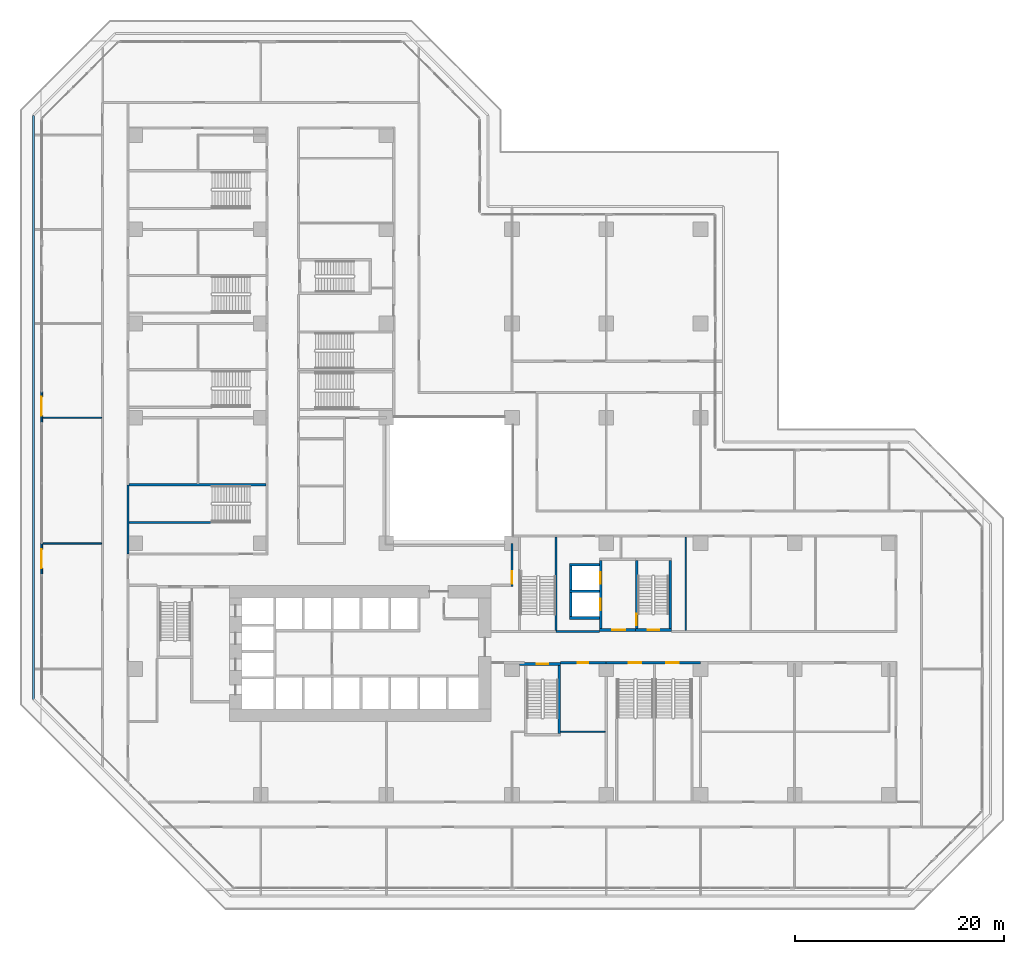
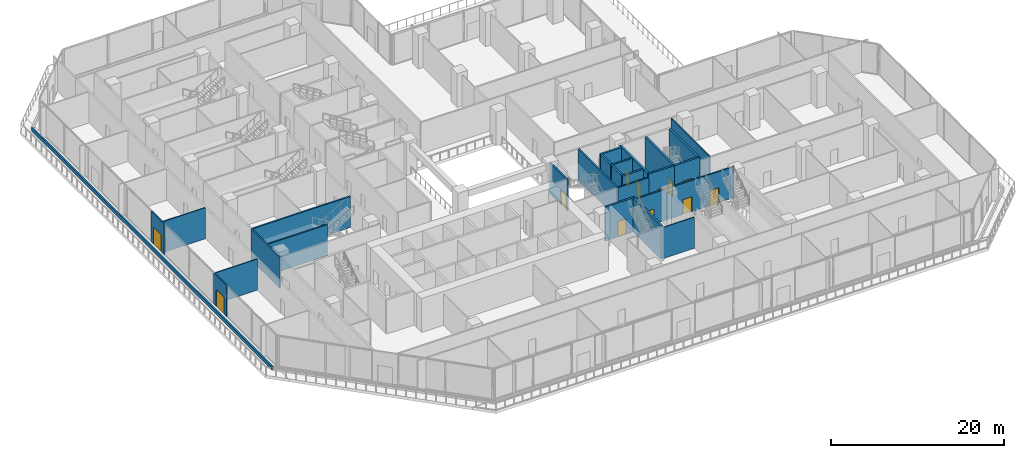
# One storey, part 14 of 26: 27 walls, 12 doors, 12 openings.
"""IFC4 building model written with IfcOpenShell, lengths in metres."""

from ifc_helpers import new_model, si_unit, direction, frame, frame_2d, origin, place, context, subcontext, project, spatial, rectangle, extrude, material, layer, layer_set, type_object, element, fill, save


model = new_model("IFC4")

# Units and contexts
model_context = context("Model", 3, precision=1e-05, world=origin(), true_north=direction((0.0, 1.0)))
body_context = subcontext(model_context, "Body", "Model", "MODEL_VIEW")
ifc_project = project(units=[si_unit("LENGTHUNIT", "METRE"), si_unit("AREAUNIT", "SQUARE_METRE"), si_unit("VOLUMEUNIT", "CUBIC_METRE"), si_unit("PLANEANGLEUNIT", "RADIAN"), si_unit("MASSUNIT", "GRAM", prefix="KILO")], contexts=[model_context])

# Site, building, storey
site_placement = place(None, origin())
site = spatial("IfcSite", under=ifc_project, at=site_placement, CompositionType="ELEMENT")
building_placement = place(site_placement, origin())
building = spatial("IfcBuilding", under=site, at=building_placement, Name="Chenar Terraces", CompositionType="ELEMENT")
storey_placement = place(building_placement, frame((0.0, 0.0, 16.800048828125)))
storey = spatial("IfcBuildingStorey", under=building, at=storey_placement, Name="L03", CompositionType="ELEMENT", Elevation=16.800048828125)

# Walls
ifc_material_1 = material(Name="Gypsum board on steel studs with mineral wool", Category="steel")
ifc_layer_1 = layer(ifc_material_1, 0.125)
ifc_layer_set_1 = layer_set([ifc_layer_1], Name="Gypsum board on steel studs with mineral wool")
wall_type_1 = type_object("IfcWallType", Name="Acoustic partition 125", PredefinedType="PARTITIONING", material=ifc_layer_set_1)
for number, where, z_axis, x_axis, name in (
    (1, (-8.85107421875, 24.0, 0.0), (0.0, 0.0, 1.0), (1.0, 0.0, 0.0), "Partition L03-005"),
    (2, (-8.85107421875, 36.0, 0.0), (0.0, 0.0, 1.0), (1.0, 0.0, 0.0), "Partition L03-006"),
):
    element("IfcWall", number, at=place(storey_placement, frame(where, z_axis=z_axis, x_axis=x_axis)), inside=storey, type_object=wall_type_1, Name=name, PredefinedType="PARTITIONING", context=body_context, shape_type="SweptSolid", body=[
        extrude(rectangle(XDim=5.651123046875, YDim=0.125, at=frame_2d((2.82568359375, 0.0))), origin(), (0.0, 0.0, 1.0), 4.39990234375),
    ])
wall_1_placement = place(storey_placement, frame((40.64990234375, 6.0, 0.0), z_axis=(0.0, 0.0, 1.0), x_axis=(1.0, 0.0, 0.0)))
element("IfcWall", 3, at=wall_1_placement, inside=storey, type_object=wall_type_1, Name="Partition L03-089", PredefinedType="PARTITIONING", context=body_context, shape_type="SweptSolid", body=[
    extrude(rectangle(XDim=4.25, YDim=0.125, at=frame_2d((2.125, 0.0))), origin(), (0.0, 0.0, 1.0), 4.39990234375),
])
wall_2_placement = place(storey_placement, frame((52.60009765625, 15.699951171875, 0.0), z_axis=(0.0, 0.0, 1.0), x_axis=(0.0, 1.0, 0.0)))
element("IfcWall", 4, at=wall_2_placement, inside=storey, type_object=wall_type_1, Name="Partition L03-100", PredefinedType="PARTITIONING", context=body_context, shape_type="SweptSolid", body=[
    extrude(rectangle(XDim=8.900146484375, YDim=0.125, at=frame_2d((4.4501953125, 0.0))), origin(), (0.0, 0.0, 1.0), 4.39990234375),
])

# Wall, opening, door
ifc_material_2 = material(Name="Concrete C70/85", Category="concrete")
ifc_layer_2 = layer(ifc_material_2, 0.25)
ifc_layer_set_2 = layer_set([ifc_layer_2], Name="Concrete C70/85")
wall_type_2 = type_object("IfcWallType", Name="Core wall 250 Concrete C70/85", PredefinedType="SHEAR", material=ifc_layer_set_2)
wall_3_placement = place(storey_placement, frame((36.699951171875, 12.47509765625, 0.0), z_axis=(0.0, 0.0, 1.0), x_axis=(1.0, 0.0, 0.0)))
wall_3 = element("IfcWall", 5, at=wall_3_placement, inside=storey, type_object=wall_type_2, Name="Core wall ST2_N L03", PredefinedType="SHEAR", context=body_context, shape_type="SweptSolid", body=[
    extrude(rectangle(XDim=3.949951171875, YDim=0.25, at=frame_2d((1.97509765625, 0.0))), origin(), (0.0, 0.0, 1.0), 4.800048828125),
])
opening_1_placement = place(wall_3_placement, frame((1.675048828125, 0.0, 0.0)))
opening_1 = element("IfcOpeningElement", 6, at=opening_1_placement, cuts=wall_3, Name="Opening DL03-C7", PredefinedType="OPENING", context=body_context, shape_type="SweptSolid", body=[
    extrude(rectangle(XDim=1.10009765625, YDim=2.199951171875, at=frame_2d((0.550048828125, 1.10009765625))), frame((0.0, 0.135009765625, 0.0), z_axis=(0.0, -1.0, 0.0), x_axis=(1.0, 0.0, 0.0)), (0.0, 0.0, 1.0), 0.27001953125),
])
ifc_material_3 = material(Name="Steel-framed fire-resisting door leaf", Category="steel")
door_type_1 = type_object("IfcDoorType", Name="Stair fire door FD60 1100 x 2200", OperationType="SINGLE_SWING_LEFT", PredefinedType="DOOR", material=ifc_material_3)
door_1_placement = place(opening_1_placement, frame((1.10009765625, 0.0, 0.0), z_axis=(0.0, 0.0, 1.0), x_axis=(-1.0, 0.0, 0.0)))
door_1 = element("IfcDoor", 7, at=door_1_placement, inside=storey, type_object=door_type_1, Name="Stair door DL03-C7", OperationType="SINGLE_SWING_RIGHT", OverallHeight=2.199951171875, OverallWidth=1.10009765625, PredefinedType="DOOR", context=body_context, shape_type="SweptSolid", body=[
    extrude(rectangle(XDim=1.10009765625, YDim=2.199951171875, at=frame_2d((0.550048828125, 1.10009765625))), frame((0.0, 0.02490234375, 0.0), z_axis=(0.0, -1.0, 0.0), x_axis=(1.0, 0.0, 0.0)), (0.0, 0.0, 1.0), 0.050048828125),
])
fill(opening_1, door_1)

# Wall
wall_4_placement = place(storey_placement, frame((40.52490234375, 5.85009765625, 0.0), z_axis=(0.0, 0.0, 1.0), x_axis=(0.0, 1.0, 0.0)))
element("IfcWall", 8, at=wall_4_placement, inside=storey, type_object=wall_type_2, Name="Core wall ST2_E L03", PredefinedType="SHEAR", context=body_context, shape_type="SweptSolid", body=[
    extrude(rectangle(XDim=6.5, YDim=0.25, at=frame_2d((3.25, 0.0))), origin(), (0.0, 0.0, 1.0), 4.800048828125),
])

# Wall, opening, door
wall_5_placement = place(storey_placement, frame((47.77490234375, 15.72509765625, 0.0), z_axis=(0.0, 0.0, 1.0), x_axis=(1.0, 0.0, 0.0)))
wall_5 = element("IfcWall", 9, at=wall_5_placement, inside=storey, type_object=wall_type_2, Name="Core wall ST3_S L03", PredefinedType="SHEAR", context=body_context, shape_type="SweptSolid", body=[
    extrude(rectangle(XDim=3.4501953125, YDim=0.25, at=frame_2d((1.72509765625, 0.0))), origin(), (0.0, 0.0, 1.0), 4.800048828125),
])
opening_2_placement = place(wall_5_placement, frame((1.175048828125, 0.0, 0.0)))
opening_2 = element("IfcOpeningElement", 10, at=opening_2_placement, cuts=wall_5, Name="Opening DL03-C8", PredefinedType="OPENING", context=body_context, shape_type="SweptSolid", body=[
    extrude(rectangle(XDim=1.10009765625, YDim=2.199951171875, at=frame_2d((0.550048828125, 1.10009765625))), frame((0.0, 0.135009765625, 0.0), z_axis=(0.0, -1.0, 0.0), x_axis=(1.0, 0.0, 0.0)), (0.0, 0.0, 1.0), 0.27001953125),
])
door_2_placement = place(opening_2_placement, frame((1.10009765625, 0.0, 0.0), z_axis=(0.0, 0.0, 1.0), x_axis=(-1.0, 0.0, 0.0)))
door_2 = element("IfcDoor", 11, at=door_2_placement, inside=storey, type_object=door_type_1, Name="Stair door DL03-C8", OperationType="SINGLE_SWING_LEFT", OverallHeight=2.199951171875, OverallWidth=1.10009765625, PredefinedType="DOOR", context=body_context, shape_type="SweptSolid", body=[
    extrude(rectangle(XDim=1.10009765625, YDim=2.199951171875, at=frame_2d((0.550048828125, 1.10009765625))), frame((0.0, 0.02490234375, 0.0), z_axis=(0.0, -1.0, 0.0), x_axis=(1.0, 0.0, 0.0)), (0.0, 0.0, 1.0), 0.050048828125),
])
fill(opening_2, door_2)

wall_6_placement = place(storey_placement, frame((47.89990234375, 15.85009765625, 0.0), z_axis=(0.0, 0.0, 1.0), x_axis=(0.0, 1.0, 0.0)))
wall_6 = element("IfcWall", 12, at=wall_6_placement, inside=storey, type_object=wall_type_2, Name="Core wall ST3_W L03", PredefinedType="SHEAR", context=body_context, shape_type="SweptSolid", body=[
    extrude(rectangle(XDim=6.5, YDim=0.25, at=frame_2d((3.25, 0.0))), origin(), (0.0, 0.0, 1.0), 4.800048828125),
])
opening_3_placement = place(wall_6_placement, frame((0.35009765625, 0.0, 0.0)))
opening_3 = element("IfcOpeningElement", 13, at=opening_3_placement, cuts=wall_6, Name="Opening DL03-C11", PredefinedType="OPENING", context=body_context, shape_type="SweptSolid", body=[
    extrude(rectangle(XDim=1.10009765625, YDim=2.199951171875, at=frame_2d((0.550048828125, 1.10009765625))), frame((0.0, 0.135009765625, 0.0), z_axis=(0.0, -1.0, 0.0), x_axis=(1.0, 0.0, 0.0)), (0.0, 0.0, 1.0), 0.27001953125),
])
door_3_placement = place(opening_3_placement, frame((1.10009765625, 0.0, 0.0), z_axis=(0.0, 0.0, 1.0), x_axis=(-1.0, 0.0, 0.0)))
door_3 = element("IfcDoor", 14, at=door_3_placement, inside=storey, type_object=door_type_1, Name="Stair door DL03-C11", OperationType="SINGLE_SWING_RIGHT", OverallHeight=2.199951171875, OverallWidth=1.10009765625, PredefinedType="DOOR", context=body_context, shape_type="SweptSolid", body=[
    extrude(rectangle(XDim=1.10009765625, YDim=2.199951171875, at=frame_2d((0.550048828125, 1.10009765625))), frame((0.0, 0.02490234375, 0.0), z_axis=(0.0, -1.0, 0.0), x_axis=(1.0, 0.0, 0.0)), (0.0, 0.0, 1.0), 0.050048828125),
])
fill(opening_3, door_3)

# Wall
wall_7_placement = place(storey_placement, frame((51.10009765625, 15.85009765625, 0.0), z_axis=(0.0, 0.0, 1.0), x_axis=(0.0, 1.0, 0.0)))
element("IfcWall", 15, at=wall_7_placement, inside=storey, type_object=wall_type_2, Name="Core wall ST3_E L03", PredefinedType="SHEAR", context=body_context, shape_type="SweptSolid", body=[
    extrude(rectangle(XDim=6.5, YDim=0.25, at=frame_2d((3.25, 0.0))), origin(), (0.0, 0.0, 1.0), 4.800048828125),
])

# Wall, opening, door
wall_8_placement = place(storey_placement, frame((44.35009765625, 15.72509765625, 0.0), z_axis=(0.0, 0.0, 1.0), x_axis=(1.0, 0.0, 0.0)))
wall_8 = element("IfcWall", 16, at=wall_8_placement, inside=storey, type_object=wall_type_2, Name="Core wall F3_LS L03", PredefinedType="SHEAR", context=body_context, shape_type="SweptSolid", body=[
    extrude(rectangle(XDim=3.4248046875, YDim=0.25, at=frame_2d((1.71240234375, 0.0))), origin(), (0.0, 0.0, 1.0), 4.800048828125),
])
opening_4_placement = place(wall_8_placement, frame((1.25, 0.0, 0.0)))
opening_4 = element("IfcOpeningElement", 17, at=opening_4_placement, cuts=wall_8, Name="Opening DL03-C10", PredefinedType="OPENING", context=body_context, shape_type="SweptSolid", body=[
    extrude(rectangle(XDim=1.199951171875, YDim=2.199951171875, at=frame_2d((0.60009765625, 1.10009765625))), frame((0.0, 0.135009765625, 0.0), z_axis=(0.0, -1.0, 0.0), x_axis=(1.0, 0.0, 0.0)), (0.0, 0.0, 1.0), 0.27001953125),
])
ifc_material_4 = material(Name="Steel-framed fire-resisting door leaf", Category="steel")
door_type_2 = type_object("IfcDoorType", Name="Lobby fire door FD60 1200 x 2200", OperationType="SINGLE_SWING_LEFT", PredefinedType="DOOR", material=ifc_material_4)
door_4_placement = place(opening_4_placement, origin())
door_4 = element("IfcDoor", 18, at=door_4_placement, inside=storey, type_object=door_type_2, Name="Core door DL03-C10", OperationType="SINGLE_SWING_RIGHT", OverallHeight=2.199951171875, OverallWidth=1.199951171875, PredefinedType="DOOR", context=body_context, shape_type="SweptSolid", body=[
    extrude(rectangle(XDim=1.199951171875, YDim=2.199951171875, at=frame_2d((0.60009765625, 1.10009765625))), frame((0.0, 0.02490234375, 0.0), z_axis=(0.0, -1.0, 0.0), x_axis=(1.0, 0.0, 0.0)), (0.0, 0.0, 1.0), 0.050048828125),
])
fill(opening_4, door_4)

# Wall, openings, doors
wall_9_placement = place(storey_placement, frame((44.47509765625, 15.85009765625, 0.0), z_axis=(0.0, 0.0, 1.0), x_axis=(0.0, 1.0, 0.0)))
wall_9 = element("IfcWall", 19, at=wall_9_placement, inside=storey, type_object=wall_type_2, Name="Core wall F3_LW L03", PredefinedType="SHEAR", context=body_context, shape_type="SweptSolid", body=[
    extrude(rectangle(XDim=6.5, YDim=0.25, at=frame_2d((3.25, 0.0))), origin(), (0.0, 0.0, 1.0), 4.800048828125),
])
opening_5_placement = place(wall_9_placement, frame((1.75, 0.0, 0.0)))
opening_5 = element("IfcOpeningElement", 20, at=opening_5_placement, cuts=wall_9, Name="Opening DL03-LD4", PredefinedType="OPENING", context=body_context, shape_type="SweptSolid", body=[
    extrude(rectangle(XDim=1.10009765625, YDim=2.199951171875, at=frame_2d((0.550048828125, 1.10009765625))), frame((0.0, 0.135009765625, 0.0), z_axis=(0.0, -1.0, 0.0), x_axis=(1.0, 0.0, 0.0)), (0.0, 0.0, 1.0), 0.27001953125),
])
opening_6_placement = place(wall_9_placement, frame((4.300048828125, 0.0, 0.0)))
opening_6 = element("IfcOpeningElement", 21, at=opening_6_placement, cuts=wall_9, Name="Opening DL03-LD5", PredefinedType="OPENING", context=body_context, shape_type="SweptSolid", body=[
    extrude(rectangle(XDim=1.10009765625, YDim=2.199951171875, at=frame_2d((0.550048828125, 1.10009765625))), frame((0.0, 0.135009765625, 0.0), z_axis=(0.0, -1.0, 0.0), x_axis=(1.0, 0.0, 0.0)), (0.0, 0.0, 1.0), 0.27001953125),
])
ifc_material_5 = material(Name="Stainless steel", Category="steel")
door_type_3 = type_object("IfcDoorType", Name="Lift landing door 1100 x 2200 sliding", OperationType="DOUBLE_DOOR_SLIDING", PredefinedType="DOOR", material=ifc_material_5)
door_5_placement = place(opening_5_placement, origin())
door_5 = element("IfcDoor", 22, at=door_5_placement, inside=storey, type_object=door_type_3, Name="Landing door F3", OperationType="DOUBLE_DOOR_SLIDING", OverallHeight=2.199951171875, OverallWidth=1.10009765625, PredefinedType="DOOR", context=body_context, shape_type="SweptSolid", body=[
    extrude(rectangle(XDim=1.10009765625, YDim=2.199951171875, at=frame_2d((0.550048828125, 1.10009765625))), frame((0.0, 0.02490234375, 0.0), z_axis=(0.0, -1.0, 0.0), x_axis=(1.0, 0.0, 0.0)), (0.0, 0.0, 1.0), 0.050048828125),
])
fill(opening_5, door_5)
door_6_placement = place(opening_6_placement, origin())
door_6 = element("IfcDoor", 23, at=door_6_placement, inside=storey, type_object=door_type_3, Name="Landing door F4", OperationType="DOUBLE_DOOR_SLIDING", OverallHeight=2.199951171875, OverallWidth=1.10009765625, PredefinedType="DOOR", context=body_context, shape_type="SweptSolid", body=[
    extrude(rectangle(XDim=1.10009765625, YDim=2.199951171875, at=frame_2d((0.550048828125, 1.10009765625))), frame((0.0, 0.02490234375, 0.0), z_axis=(0.0, -1.0, 0.0), x_axis=(1.0, 0.0, 0.0)), (0.0, 0.0, 1.0), 0.050048828125),
])
fill(opening_6, door_6)

# Walls
for number, where, z_axis, x_axis, name in (
    (24, (41.5, 16.875, 0.0), (0.0, 0.0, 1.0), (1.0, 0.0, 0.0), "Core wall F3_SS L03"),
    (25, (41.5, 19.425048828125, 0.0), (0.0, 0.0, 1.0), (1.0, 0.0, 0.0), "Core wall F3_SM L03"),
    (26, (41.5, 21.97509765625, 0.0), (0.0, 0.0, 1.0), (1.0, 0.0, 0.0), "Core wall F4_SN L03"),
):
    element("IfcWall", number, at=place(storey_placement, frame(where, z_axis=z_axis, x_axis=x_axis)), inside=storey, type_object=wall_type_2, Name=name, PredefinedType="SHEAR", context=body_context, shape_type="SweptSolid", body=[
        extrude(rectangle(XDim=2.85009765625, YDim=0.25, at=frame_2d((1.425048828125, 0.0))), origin(), (0.0, 0.0, 1.0), 4.800048828125),
    ])
for number, where, z_axis, x_axis, name in (
    (27, (41.625, 17.0, 0.0), (0.0, 0.0, 1.0), (0.0, 1.0, 0.0), "Core wall F3_SW L03"),
    (28, (41.625, 19.550048828125, 0.0), (0.0, 0.0, 1.0), (0.0, 1.0, 0.0), "Core wall F4_SW L03"),
):
    element("IfcWall", number, at=place(storey_placement, frame(where, z_axis=z_axis, x_axis=x_axis)), inside=storey, type_object=wall_type_2, Name=name, PredefinedType="SHEAR", context=body_context, shape_type="SweptSolid", body=[
        extrude(rectangle(XDim=2.300048828125, YDim=0.25, at=frame_2d((1.14990234375, 0.0))), origin(), (0.0, 0.0, 1.0), 4.800048828125),
    ])
ifc_material_6 = material(Name="Gypsum board on steel studs with fire boards", Category="steel")
ifc_layer_3 = layer(ifc_material_6, 0.199951171875)
ifc_layer_set_3 = layer_set([ifc_layer_3], Name="Gypsum board on steel studs with fire boards")
wall_type_3 = type_object("IfcWallType", Name="Corridor wall 200", PredefinedType="PARTITIONING", material=ifc_layer_set_3)
wall_10_placement = place(storey_placement, frame((40.199951171875, 15.60009765625, 0.0), z_axis=(0.0, 0.0, 1.0), x_axis=(1.0, 0.0, 0.0)))
element("IfcWall", 29, at=wall_10_placement, inside=storey, type_object=wall_type_3, Name="Partition L03-086", PredefinedType="PARTITIONING", context=body_context, shape_type="SweptSolid", body=[
    extrude(rectangle(XDim=4.150146484375, YDim=0.199951171875, at=frame_2d((2.0751953125, 0.0))), origin(), (0.0, 0.0, 1.0), 4.39990234375),
])

# Wall, opening, door
wall_11_placement = place(storey_placement, frame((40.64990234375, 12.60009765625, 0.0), z_axis=(0.0, 0.0, 1.0), x_axis=(1.0, 0.0, 0.0)))
wall_11 = element("IfcWall", 30, at=wall_11_placement, inside=storey, type_object=wall_type_3, Name="Partition L03-090", PredefinedType="PARTITIONING", context=body_context, shape_type="SweptSolid", body=[
    extrude(rectangle(XDim=4.35009765625, YDim=0.199951171875, at=frame_2d((2.175048828125, 0.0))), origin(), (0.0, 0.0, 1.0), 4.39990234375),
])
opening_7_placement = place(wall_11_placement, frame((1.64990234375, 0.0, 0.0)))
opening_7 = element("IfcOpeningElement", 31, at=opening_7_placement, cuts=wall_11, Name="Opening DL03-1", PredefinedType="OPENING", context=body_context, shape_type="SweptSolid", body=[
    extrude(rectangle(XDim=1.0, YDim=2.10009765625, at=frame_2d((0.5, 1.050048828125))), frame((0.0, 0.10986328125, 0.0), z_axis=(0.0, -1.0, 0.0), x_axis=(1.0, 0.0, 0.0)), (0.0, 0.0, 1.0), 0.219970703125),
])
ifc_material_7 = material(Name="Steel-framed fire-resisting door leaf", Category="steel")
door_type_4 = type_object("IfcDoorType", Name="Fire door FD60 1000 x 2100", OperationType="SINGLE_SWING_LEFT", PredefinedType="DOOR", material=ifc_material_7)
door_7_placement = place(opening_7_placement, frame((1.0, 0.0, 0.0), z_axis=(0.0, 0.0, 1.0), x_axis=(-1.0, 0.0, 0.0)))
door_7 = element("IfcDoor", 32, at=door_7_placement, inside=storey, type_object=door_type_4, Name="Door DL03-1", OperationType="SINGLE_SWING_LEFT", OverallHeight=2.10009765625, OverallWidth=1.0, PredefinedType="DOOR", context=body_context, shape_type="SweptSolid", body=[
    extrude(rectangle(XDim=1.0, YDim=2.10009765625, at=frame_2d((0.5, 1.050048828125))), frame((0.0, 0.02490234375, 0.0), z_axis=(0.0, -1.0, 0.0), x_axis=(1.0, 0.0, 0.0)), (0.0, 0.0, 1.0), 0.050048828125),
])
fill(opening_7, door_7)

ifc_material_8 = material(Name="Aluminium framed glazing", Category="aluminium")
ifc_layer_4 = layer(ifc_material_8, 0.14990234375)
ifc_layer_set_4 = layer_set([ifc_layer_4], Name="Aluminium framed glazing")
wall_type_4 = type_object("IfcWallType", Name="Podium glazed wall 150", PredefinedType="SOLIDWALL", material=ifc_layer_set_4)
wall_12_placement = place(storey_placement, frame((-8.925048828125, 38.5, 0.0), z_axis=(0.0, 0.0, 1.0), x_axis=(0.0, -1.0, 0.0)))
wall_12 = element("IfcWall", 33, at=wall_12_placement, inside=storey, type_object=wall_type_4, Name="Podium glazed wall", PredefinedType="SOLIDWALL", context=body_context, shape_type="SweptSolid", body=[
    extrude(rectangle(XDim=3.0, YDim=0.14990234375, at=frame_2d((1.5, 0.0))), origin(), (0.0, 0.0, 1.0), 4.39990234375),
])
opening_8_placement = place(wall_12_placement, frame((0.5, 0.0, 0.0)))
opening_8 = element("IfcOpeningElement", 34, at=opening_8_placement, cuts=wall_12, Name="Opening DL03-T2", PredefinedType="OPENING", context=body_context, shape_type="SweptSolid", body=[
    extrude(rectangle(XDim=1.800048828125, YDim=2.39990234375, at=frame_2d((0.89990234375, 1.199951171875))), frame((0.0, 0.0849609375, 0.0), z_axis=(0.0, -1.0, 0.0), x_axis=(1.0, 0.0, 0.0)), (0.0, 0.0, 1.0), 0.169921875),
])
ifc_material_9 = material(Name="Low emissivity double glazing, aluminium frame", Category="aluminium")
door_type_5 = type_object("IfcDoorType", Name="Terrace glazed double door 1800 x 2400", OperationType="DOUBLE_DOOR_SINGLE_SWING", PredefinedType="DOOR", material=ifc_material_9)
door_8_placement = place(opening_8_placement, origin())
door_8 = element("IfcDoor", 35, at=door_8_placement, inside=storey, type_object=door_type_5, Name="Terrace glazed door", OperationType="DOUBLE_DOOR_SINGLE_SWING", OverallHeight=2.39990234375, OverallWidth=1.800048828125, PredefinedType="DOOR", context=body_context, shape_type="SweptSolid", body=[
    extrude(rectangle(XDim=1.800048828125, YDim=2.39990234375, at=frame_2d((0.89990234375, 1.199951171875))), frame((0.0, 0.02490234375, 0.0), z_axis=(0.0, -1.0, 0.0), x_axis=(1.0, 0.0, 0.0)), (0.0, 0.0, 1.0), 0.050048828125),
])
fill(opening_8, door_8)

wall_13_placement = place(storey_placement, frame((-8.925048828125, 24.021728515625, 0.0), z_axis=(0.0, 0.0, 1.0), x_axis=(0.0, -1.0, 0.0)))
wall_13 = element("IfcWall", 36, at=wall_13_placement, inside=storey, type_object=wall_type_4, Name="Podium glazed wall", PredefinedType="SOLIDWALL", context=body_context, shape_type="SweptSolid", body=[
    extrude(rectangle(XDim=3.0, YDim=0.14990234375, at=frame_2d((1.5, 0.0))), origin(), (0.0, 0.0, 1.0), 4.39990234375),
])
opening_9_placement = place(wall_13_placement, frame((0.60009765625, 0.0, 0.0)))
opening_9 = element("IfcOpeningElement", 37, at=opening_9_placement, cuts=wall_13, Name="Opening DL03-T3", PredefinedType="OPENING", context=body_context, shape_type="SweptSolid", body=[
    extrude(rectangle(XDim=1.800048828125, YDim=2.39990234375, at=frame_2d((0.89990234375, 1.199951171875))), frame((0.0, 0.0849609375, 0.0), z_axis=(0.0, -1.0, 0.0), x_axis=(1.0, 0.0, 0.0)), (0.0, 0.0, 1.0), 0.169921875),
])
door_9_placement = place(opening_9_placement, origin())
door_9 = element("IfcDoor", 38, at=door_9_placement, inside=storey, type_object=door_type_5, Name="Terrace glazed door", OperationType="DOUBLE_DOOR_SINGLE_SWING", OverallHeight=2.39990234375, OverallWidth=1.800048828125, PredefinedType="DOOR", context=body_context, shape_type="SweptSolid", body=[
    extrude(rectangle(XDim=1.800048828125, YDim=2.39990234375, at=frame_2d((0.89990234375, 1.199951171875))), frame((0.0, 0.02490234375, 0.0), z_axis=(0.0, -1.0, 0.0), x_axis=(1.0, 0.0, 0.0)), (0.0, 0.0, 1.0), 0.050048828125),
])
fill(opening_9, door_9)

# Walls
ifc_material_10 = material(Name="Reinforced concrete C40/50", Category="concrete")
ifc_layer_5 = layer(ifc_material_10, 0.199951171875)
ifc_layer_set_5 = layer_set([ifc_layer_5], Name="Reinforced concrete C40/50")
wall_type_5 = type_object("IfcWallType", Name="Stair enclosure wall 200 concrete", PredefinedType="SOLIDWALL", material=ifc_layer_set_5)
wall_14_placement = place(storey_placement, frame((-0.699951171875, 23.0, 0.0), z_axis=(0.0, 0.0, 1.0), x_axis=(0.0, 1.0, 0.0)))
element("IfcWall", 39, at=wall_14_placement, inside=storey, type_object=wall_type_5, Name="Stair enclosure wall L03-011", PredefinedType="SOLIDWALL", context=body_context, shape_type="SweptSolid", body=[
    extrude(rectangle(XDim=6.60009765625, YDim=0.199951171875, at=frame_2d((3.300048828125, 0.0))), origin(), (0.0, 0.0, 1.0), 4.39990234375),
])
wall_15_placement = place(storey_placement, frame((-0.60009765625, 29.60009765625, 0.0), z_axis=(0.0, 0.0, 1.0), x_axis=(1.0, 0.0, 0.0)))
element("IfcWall", 40, at=wall_15_placement, inside=storey, type_object=wall_type_5, Name="Stair enclosure wall L03-022", PredefinedType="SOLIDWALL", context=body_context, shape_type="SweptSolid", body=[
    extrude(rectangle(XDim=13.10009765625, YDim=0.199951171875, at=frame_2d((6.550048828125, 0.0))), origin(), (0.0, 0.0, 1.0), 4.39990234375),
])

# Wall, opening, door
wall_16_placement = place(storey_placement, frame((36.0, 19.89990234375, 0.0), z_axis=(0.0, 0.0, 1.0), x_axis=(0.0, 1.0, 0.0)))
wall_16 = element("IfcWall", 41, at=wall_16_placement, inside=storey, type_object=wall_type_5, Name="Stair enclosure wall L03-078", PredefinedType="SOLIDWALL", context=body_context, shape_type="SweptSolid", body=[
    extrude(rectangle(XDim=4.10009765625, YDim=0.199951171875, at=frame_2d((2.050048828125, 0.0))), origin(), (0.0, 0.0, 1.0), 4.39990234375),
])
opening_10_placement = place(wall_16_placement, frame((0.25, 0.0, 0.0)))
opening_10 = element("IfcOpeningElement", 42, at=opening_10_placement, cuts=wall_16, Name="Opening DL03-64", PredefinedType="OPENING", context=body_context, shape_type="SweptSolid", body=[
    extrude(rectangle(XDim=1.199951171875, YDim=2.10009765625, at=frame_2d((0.60009765625, 1.050048828125))), frame((0.0, 0.10986328125, 0.0), z_axis=(0.0, -1.0, 0.0), x_axis=(1.0, 0.0, 0.0)), (0.0, 0.0, 1.0), 0.219970703125),
])
ifc_material_11 = material(Name="Steel-framed fire-resisting door leaf", Category="steel")
door_type_6 = type_object("IfcDoorType", Name="Fire door FD120 1200 x 2100", OperationType="SINGLE_SWING_LEFT", PredefinedType="DOOR", material=ifc_material_11)
door_10_placement = place(opening_10_placement, frame((1.199951171875, 0.0, 0.0), z_axis=(0.0, 0.0, 1.0), x_axis=(-1.0, 0.0, 0.0)))
door_10 = element("IfcDoor", 43, at=door_10_placement, inside=storey, type_object=door_type_6, Name="Door DL03-64", OperationType="SINGLE_SWING_LEFT", OverallHeight=2.10009765625, OverallWidth=1.199951171875, PredefinedType="DOOR", context=body_context, shape_type="SweptSolid", body=[
    extrude(rectangle(XDim=1.199951171875, YDim=2.10009765625, at=frame_2d((0.60009765625, 1.050048828125))), frame((0.0, 0.02490234375, 0.0), z_axis=(0.0, -1.0, 0.0), x_axis=(1.0, 0.0, 0.0)), (0.0, 0.0, 1.0), 0.050048828125),
])
fill(opening_10, door_10)

# Wall
wall_17_placement = place(storey_placement, frame((40.199951171875, 15.699951171875, 0.0), z_axis=(0.0, 0.0, 1.0), x_axis=(0.0, 1.0, 0.0)))
element("IfcWall", 44, at=wall_17_placement, inside=storey, type_object=wall_type_5, Name="Stair enclosure wall L03-087", PredefinedType="SOLIDWALL", context=body_context, shape_type="SweptSolid", body=[
    extrude(rectangle(XDim=8.900146484375, YDim=0.199951171875, at=frame_2d((4.4501953125, 0.0))), origin(), (0.0, 0.0, 1.0), 4.39990234375),
])

# Wall, openings, doors
wall_18_placement = place(storey_placement, frame((45.0, 12.60009765625, 0.0), z_axis=(0.0, 0.0, 1.0), x_axis=(1.0, 0.0, 0.0)))
wall_18 = element("IfcWall", 45, at=wall_18_placement, inside=storey, type_object=wall_type_5, Name="Stair enclosure wall L03-094", PredefinedType="SOLIDWALL", context=body_context, shape_type="SweptSolid", body=[
    extrude(rectangle(XDim=9.0, YDim=0.199951171875, at=frame_2d((4.5, 0.0))), origin(), (0.0, 0.0, 1.0), 4.39990234375),
])
opening_11_placement = place(wall_18_placement, frame((5.75, 0.0, 0.0)))
opening_11 = element("IfcOpeningElement", 46, at=opening_11_placement, cuts=wall_18, Name="Opening DL03-65", PredefinedType="OPENING", context=body_context, shape_type="SweptSolid", body=[
    extrude(rectangle(XDim=1.199951171875, YDim=2.10009765625, at=frame_2d((0.60009765625, 1.050048828125))), frame((0.0, 0.10986328125, 0.0), z_axis=(0.0, -1.0, 0.0), x_axis=(1.0, 0.0, 0.0)), (0.0, 0.0, 1.0), 0.219970703125),
])
opening_12_placement = place(wall_18_placement, frame((2.14990234375, 0.0, 0.0)))
opening_12 = element("IfcOpeningElement", 47, at=opening_12_placement, cuts=wall_18, Name="Opening DL03-69", PredefinedType="OPENING", context=body_context, shape_type="SweptSolid", body=[
    extrude(rectangle(XDim=1.199951171875, YDim=2.10009765625, at=frame_2d((0.60009765625, 1.050048828125))), frame((0.0, 0.10986328125, 0.0), z_axis=(0.0, -1.0, 0.0), x_axis=(1.0, 0.0, 0.0)), (0.0, 0.0, 1.0), 0.219970703125),
])
door_11_placement = place(opening_11_placement, frame((1.199951171875, 0.0, 0.0), z_axis=(0.0, 0.0, 1.0), x_axis=(-1.0, 0.0, 0.0)))
door_11 = element("IfcDoor", 48, at=door_11_placement, inside=storey, type_object=door_type_6, Name="Door DL03-65", OperationType="SINGLE_SWING_RIGHT", OverallHeight=2.10009765625, OverallWidth=1.199951171875, PredefinedType="DOOR", context=body_context, shape_type="SweptSolid", body=[
    extrude(rectangle(XDim=1.199951171875, YDim=2.10009765625, at=frame_2d((0.60009765625, 1.050048828125))), frame((0.0, 0.02490234375, 0.0), z_axis=(0.0, -1.0, 0.0), x_axis=(1.0, 0.0, 0.0)), (0.0, 0.0, 1.0), 0.050048828125),
])
fill(opening_11, door_11)
door_12_placement = place(opening_12_placement, frame((1.199951171875, 0.0, 0.0), z_axis=(0.0, 0.0, 1.0), x_axis=(-1.0, 0.0, 0.0)))
door_12 = element("IfcDoor", 49, at=door_12_placement, inside=storey, type_object=door_type_6, Name="Door DL03-69", OperationType="SINGLE_SWING_LEFT", OverallHeight=2.10009765625, OverallWidth=1.199951171875, PredefinedType="DOOR", context=body_context, shape_type="SweptSolid", body=[
    extrude(rectangle(XDim=1.199951171875, YDim=2.10009765625, at=frame_2d((0.60009765625, 1.050048828125))), frame((0.0, 0.02490234375, 0.0), z_axis=(0.0, -1.0, 0.0), x_axis=(1.0, 0.0, 0.0)), (0.0, 0.0, 1.0), 0.050048828125),
])
fill(opening_12, door_12)

# Walls
wall_19_placement = place(storey_placement, frame((-0.60009765625, 26.0, 0.0), z_axis=(0.0, 0.0, 1.0), x_axis=(1.0, 0.0, 0.0)))
element("IfcWall", 50, at=wall_19_placement, inside=storey, type_object=wall_type_5, Name="Stair enclosure wall L03-PS5-033", PredefinedType="SOLIDWALL", context=body_context, shape_type="SweptSolid", body=[
    extrude(rectangle(XDim=7.945068359375, YDim=0.199951171875, at=frame_2d((3.97265625, 0.0))), origin(), (0.0, 0.0, 1.0), 4.39990234375),
])
ifc_material_12 = material(Name="Terracotta cladding on insulated backing", Category="masonry")
ifc_layer_6 = layer(ifc_material_12, 0.199951171875)
ifc_layer_set_6 = layer_set([ifc_layer_6], Name="Terracotta cladding on insulated backing")
wall_type_6 = type_object("IfcWallType", Name="Terrace parapet upstand 200", PredefinedType="PARAPET", material=ifc_layer_set_6)
wall_20_placement = place(storey_placement, frame((-9.699951171875, 9.103515625, 0.0), z_axis=(0.0, 0.0, 1.0), x_axis=(0.0, 1.0, 0.0)))
element("IfcWall", 51, at=wall_20_placement, inside=storey, type_object=wall_type_6, Name="Terrace parapet", PredefinedType="PARAPET", context=body_context, shape_type="SweptSolid", body=[
    extrude(rectangle(XDim=55.79296875, YDim=0.199951171875, at=frame_2d((27.896484375, 0.0))), origin(), (0.0, 0.0, 1.0), 0.5),
])

save(model, "model.ifc")
